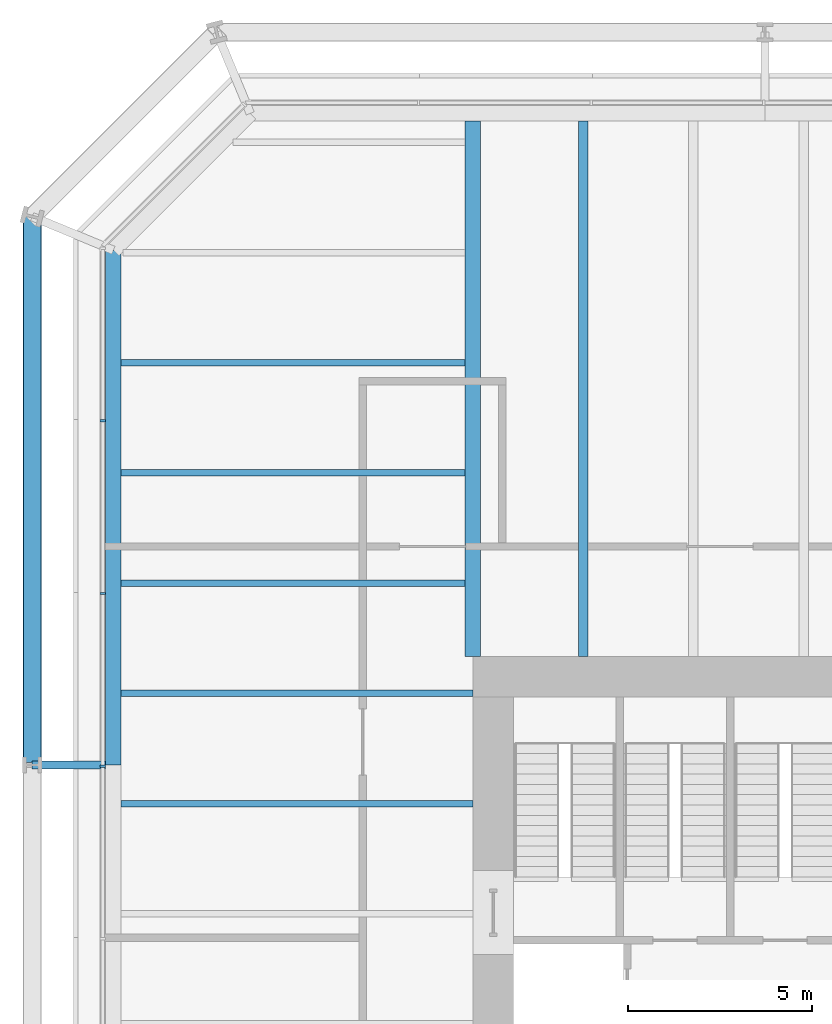
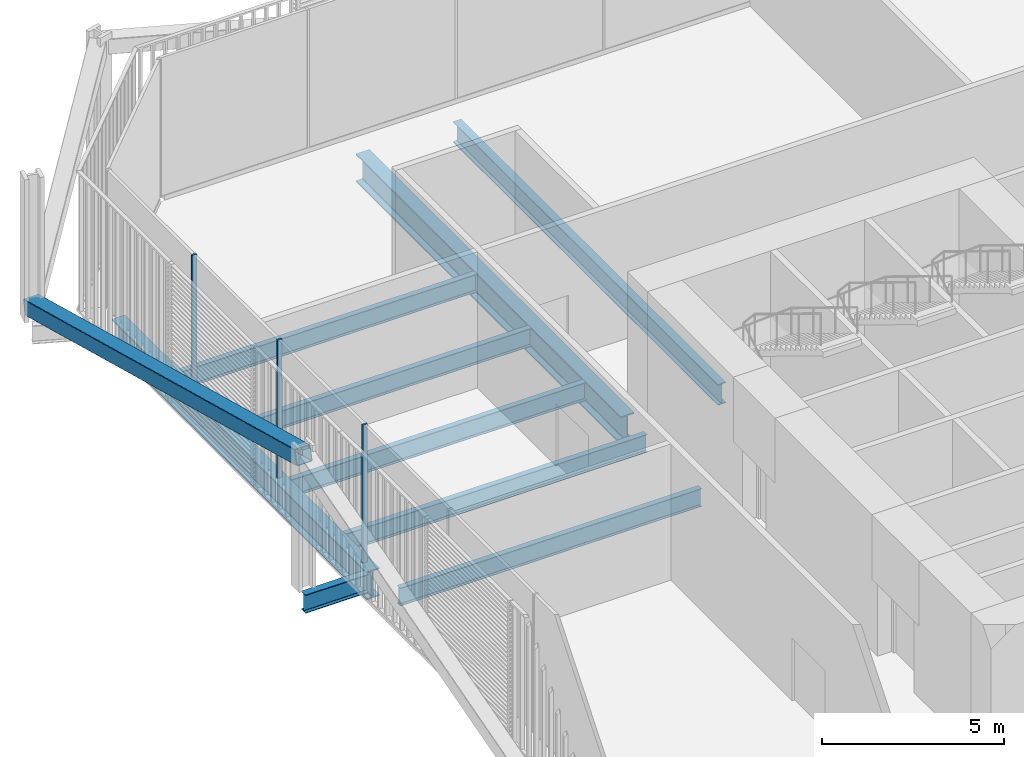
# One storey, part 12 of 22: 9 beams, 4 members, 1 element without a shape of its own.
"""IFC4 building model written with IfcOpenShell, lengths in metres."""

from ifc_helpers import new_model, si_unit, direction, frame, origin, origin_2d, place, context, subcontext, project, spatial, rectangle, hollow_rectangle, i_section, extrude, material, layer, layer_set, material_profile, profile_set, type_object, element, aggregate, save


model = new_model("IFC4")

# Units and contexts
model_context = context("Model", 3, precision=1e-05, world=origin(), true_north=direction((0.0, 1.0)))
body_context = subcontext(model_context, "Body", "Model", "MODEL_VIEW")
ifc_project = project(units=[si_unit("LENGTHUNIT", "METRE"), si_unit("AREAUNIT", "SQUARE_METRE"), si_unit("VOLUMEUNIT", "CUBIC_METRE"), si_unit("PLANEANGLEUNIT", "RADIAN"), si_unit("MASSUNIT", "GRAM", prefix="KILO")], contexts=[model_context])

# Site, building, storey
site_placement = place(None, origin())
site = spatial("IfcSite", under=ifc_project, at=site_placement, CompositionType="ELEMENT")
building_placement = place(site_placement, origin())
building = spatial("IfcBuilding", under=site, at=building_placement, Name="Millrace Tower", CompositionType="ELEMENT")
storey_placement = place(building_placement, frame((0.0, 0.0, 30.5)))
storey = spatial("IfcBuildingStorey", under=building, at=storey_placement, Name="L07", CompositionType="ELEMENT", Elevation=30.5)

# Curtain wall, members
ifc_material_1 = material(Name="Aluminium and glass", Category="aluminium")
ifc_layer = layer(ifc_material_1, 0.14990234375)
ifc_layer_set = layer_set([ifc_layer], Name="Aluminium and glass")
curtain_wall_type = type_object("IfcCurtainWallType", Name="CW-2 data hall insulated curtain wall", PredefinedType="NOTDEFINED", material=ifc_layer_set)
curtain_wall_placement = place(storey_placement, origin())
curtain_wall = element("IfcCurtainWall", 1, at=curtain_wall_placement, inside=storey, type_object=curtain_wall_type, Name="Curtain wall A-F08 L07", PredefinedType="NOTDEFINED")
ifc_material_2 = material(Name="Aluminium", Category="aluminium")
ifc_material_profile_1 = material_profile(ifc_material_2, rectangle(XDim=0.06494140625, YDim=0.14990234375, at=origin_2d()))
ifc_profile_set_1 = profile_set([ifc_material_profile_1], Name="Aluminium")
member_type_1 = type_object("IfcMemberType", Name="CW-2 data hall insulated curtain wall mullion", PredefinedType="MULLION", material=ifc_profile_set_1)
member_1_placement = place(storey_placement, frame((-25.074951171875, 16.41748046875, 0.159912109375), z_axis=(0.0, 0.0, 1.0), x_axis=(0.0, -1.0, 0.0)))
member_1 = element("IfcMember", 2, at=member_1_placement, type_object=member_type_1, Name="CW2 mullion A-F08.2", PredefinedType="MULLION", context=body_context, shape_type="SweptSolid", body=[
    extrude(rectangle(XDim=0.06494140625, YDim=0.14990234375, at=origin_2d()), origin(), (0.0, 0.0, 1.0), 4.64013671875),
])
member_2_placement = place(storey_placement, frame((-25.074951171875, 11.717529296875, 0.159912109375), z_axis=(0.0, 0.0, 1.0), x_axis=(0.0, -1.0, 0.0)))
member_2 = element("IfcMember", 3, at=member_2_placement, type_object=member_type_1, Name="CW2 mullion A-F08.3", PredefinedType="MULLION", context=body_context, shape_type="SweptSolid", body=[
    extrude(rectangle(XDim=0.06494140625, YDim=0.14990234375, at=origin_2d()), origin(), (0.0, 0.0, 1.0), 4.64013671875),
])
member_3_placement = place(storey_placement, frame((-25.074951171875, 7.017578125, 0.159912109375), z_axis=(0.0, 0.0, 1.0), x_axis=(0.0, -1.0, 0.0)))
member_3 = element("IfcMember", 4, at=member_3_placement, type_object=member_type_1, Name="CW2 mullion A-F08.4", PredefinedType="MULLION", context=body_context, shape_type="SweptSolid", body=[
    extrude(rectangle(XDim=0.06494140625, YDim=0.14990234375, at=origin_2d()), origin(), (0.0, 0.0, 1.0), 4.64013671875),
])
aggregate(curtain_wall, [member_1, member_2, member_3])

# Member
ifc_material_3 = material(Name="Steel ASTM A500 Grade C", Category="steel")
ifc_material_profile_2 = material_profile(ifc_material_3, hollow_rectangle(XDim=0.508056640625, YDim=0.508056640625, WallThickness=0.022216796875, InnerFilletRadius=0.01123046875, OuterFilletRadius=0.033447265625, at=origin_2d()))
ifc_profile_set_2 = profile_set([ifc_material_profile_2], Name="Steel ASTM A500 Grade C")
member_type_2 = type_object("IfcMemberType", Name="Exoskeleton brace HSS20x20x7/8", PredefinedType="BRACE", material=ifc_profile_set_2)
member_4_placement = place(storey_placement, frame((-27.0, 21.978515625, 0.39990234375), z_axis=(0.0, -0.965926968663, 0.258814781667), x_axis=(1.0, 0.0, 0.0)))
element("IfcMember", 5, at=member_4_placement, inside=storey, type_object=member_type_2, Name="BRC-A-L07-14", PredefinedType="BRACE", context=body_context, shape_type="SweptSolid", body=[
    extrude(hollow_rectangle(XDim=0.508056640625, YDim=0.508056640625, WallThickness=0.022216796875, InnerFilletRadius=0.01123046875, OuterFilletRadius=0.033447265625, at=origin_2d()), origin(), (0.0, 0.0, 1.0), 15.455078125),
])

# Beams
ifc_material_4 = material(Name="Steel ASTM A992 Grade 50", Category="steel")
ifc_material_profile_3 = material_profile(ifc_material_4, i_section(OverallWidth=0.1787109375, OverallDepth=0.60205078125, WebThickness=0.010986328125, FlangeThickness=0.014892578125, FilletRadius=0.0126953125, at=origin_2d()))
ifc_profile_set_3 = profile_set([ifc_material_profile_3], Name="Steel ASTM A992 Grade 50")
beam_type_1 = type_object("IfcBeamType", Name="Floor beam W24x62", PredefinedType="JOIST", material=ifc_profile_set_3)
for number, where, z_axis, x_axis, name in (
    (6, (-24.578369140625, 6.0, -0.52587890625), (1.0, 0.0, 0.0), (0.0, 1.0, 0.0), "BM-A-L07-S1-S027"),
    (7, (-24.578369140625, 9.0, -0.52587890625), (1.0, 0.0, 0.0), (0.0, 1.0, 0.0), "BM-A-L07-S1-S030"),
):
    element("IfcBeam", number, at=place(storey_placement, frame(where, z_axis=z_axis, x_axis=x_axis)), inside=storey, type_object=beam_type_1, Name=name, PredefinedType="JOIST", context=body_context, shape_type="SweptSolid", body=[
        extrude(i_section(OverallWidth=0.1787109375, OverallDepth=0.60205078125, WebThickness=0.010986328125, FlangeThickness=0.014892578125, FilletRadius=0.0126953125, at=origin_2d()), origin(), (0.0, 0.0, 1.0), 9.578369140625),
    ])
for number, where, z_axis, x_axis, name in (
    (8, (-24.578369140625, 12.0, -0.52587890625), (1.0, 0.0, 0.0), (0.0, 1.0, 0.0), "BM-A-L07-S1-S032"),
    (9, (-24.578369140625, 15.0, -0.52587890625), (1.0, 0.0, 0.0), (0.0, 1.0, 0.0), "BM-A-L07-S1-S034"),
    (10, (-24.578369140625, 18.0, -0.52587890625), (1.0, 0.0, 0.0), (0.0, 1.0, 0.0), "BM-A-L07-S1-S036"),
):
    element("IfcBeam", number, at=place(storey_placement, frame(where, z_axis=z_axis, x_axis=x_axis)), inside=storey, type_object=beam_type_1, Name=name, PredefinedType="JOIST", context=body_context, shape_type="SweptSolid", body=[
        extrude(i_section(OverallWidth=0.1787109375, OverallDepth=0.60205078125, WebThickness=0.010986328125, FlangeThickness=0.014892578125, FilletRadius=0.0126953125, at=origin_2d()), origin(), (0.0, 0.0, 1.0), 9.3662109375),
    ])
ifc_material_5 = material(Name="Steel ASTM A992 Grade 50", Category="steel")
ifc_material_profile_4 = material_profile(ifc_material_5, i_section(OverallWidth=0.256591796875, OverallDepth=0.693359375, WebThickness=0.014404296875, FlangeThickness=0.023681640625, FilletRadius=0.01513671875, at=origin_2d()))
ifc_profile_set_4 = profile_set([ifc_material_profile_4], Name="Steel ASTM A992 Grade 50")
beam_type_2 = type_object("IfcBeamType", Name="Floor beam W27x114", PredefinedType="JOIST", material=ifc_profile_set_4)
beam_1_placement = place(storey_placement, frame((-12.0, 10.0, -0.57177734375), z_axis=(0.0, 1.0, 0.0), x_axis=(-1.0, 0.0, 0.0)))
element("IfcBeam", 11, at=beam_1_placement, inside=storey, type_object=beam_type_2, Name="BM-A-L07-S1-S042", PredefinedType="JOIST", context=body_context, shape_type="SweptSolid", body=[
    extrude(i_section(OverallWidth=0.256591796875, OverallDepth=0.693359375, WebThickness=0.014404296875, FlangeThickness=0.023681640625, FilletRadius=0.01513671875, at=origin_2d()), origin(), (0.0, 0.0, 1.0), 14.578369140625),
])
ifc_material_6 = material(Name="Steel ASTM A992 Grade 50", Category="steel")
ifc_material_profile_5 = material_profile(ifc_material_6, i_section(OverallWidth=0.424072265625, OverallDepth=0.947509765625, WebThickness=0.02392578125, FlangeThickness=0.042724609375, FilletRadius=0.024169921875, at=origin_2d()))
ifc_profile_set_5 = profile_set([ifc_material_profile_5], Name="Steel ASTM A992 Grade 50")
beam_type_3 = type_object("IfcBeamType", Name="Girder medium span W36x302", PredefinedType="BEAM", material=ifc_profile_set_5)
beam_2_placement = place(storey_placement, frame((-15.0, 10.0, -0.69873046875), z_axis=(0.0, 1.0, 0.0), x_axis=(-1.0, 0.0, 0.0)))
element("IfcBeam", 12, at=beam_2_placement, inside=storey, type_object=beam_type_3, Name="BM-A-L07-S1-G060", PredefinedType="BEAM", context=body_context, shape_type="SweptSolid", body=[
    extrude(i_section(OverallWidth=0.424072265625, OverallDepth=0.947509765625, WebThickness=0.02392578125, FlangeThickness=0.042724609375, FilletRadius=0.024169921875, at=origin_2d()), origin(), (0.0, 0.0, 1.0), 14.578369140625),
])
ifc_material_7 = material(Name="Steel ASTM A992 Grade 50", Category="steel")
ifc_material_profile_6 = material_profile(ifc_material_7, i_section(OverallWidth=0.23046875, OverallDepth=0.6171875, WebThickness=0.01318359375, FlangeThickness=0.022216796875, FilletRadius=0.012939453125, at=origin_2d()))
ifc_profile_set_6 = profile_set([ifc_material_profile_6], Name="Steel ASTM A992 Grade 50")
beam_type_4 = type_object("IfcBeamType", Name="Link beam W24x94", PredefinedType="BEAM", material=ifc_profile_set_6)
beam_3_placement = place(storey_placement, frame((-25.0, 7.050048828125, -0.53369140625), z_axis=(-1.0, 0.0, 0.0), x_axis=(0.0, -1.0, 0.0)))
element("IfcBeam", 13, at=beam_3_placement, inside=storey, type_object=beam_type_4, Name="LNK-A-L07-S1-03", PredefinedType="BEAM", context=body_context, shape_type="SweptSolid", body=[
    extrude(i_section(OverallWidth=0.23046875, OverallDepth=0.6171875, WebThickness=0.01318359375, FlangeThickness=0.022216796875, FilletRadius=0.012939453125, at=origin_2d()), origin(), (0.0, 0.0, 1.0), 2.0),
])
ifc_material_8 = material(Name="Steel ASTM A992 Grade 50", Category="steel")
ifc_material_profile_7 = material_profile(ifc_material_8, i_section(OverallWidth=0.421630859375, OverallDepth=0.937255859375, WebThickness=0.021240234375, FlangeThickness=0.03662109375, FilletRadius=0.024169921875, at=origin_2d()))
ifc_profile_set_7 = profile_set([ifc_material_profile_7], Name="Steel ASTM A992 Grade 50")
beam_type_5 = type_object("IfcBeamType", Name="Ring beam medium span W36x262", PredefinedType="SPANDREL", material=ifc_profile_set_7)
beam_4_placement = place(storey_placement, frame((-24.7890625, 7.050048828125, -0.693603515625), z_axis=(0.0, 1.0, 0.0), x_axis=(-1.0, 0.0, 0.0)))
element("IfcBeam", 14, at=beam_4_placement, inside=storey, type_object=beam_type_5, Name="RNG-A-L07-S1-03", PredefinedType="SPANDREL", context=body_context, shape_type="SweptSolid", body=[
    extrude(i_section(OverallWidth=0.421630859375, OverallDepth=0.937255859375, WebThickness=0.021240234375, FlangeThickness=0.03662109375, FilletRadius=0.024169921875, at=origin_2d()), origin(), (0.0, 0.0, 1.0), 14.0126953125),
])

save(model, "model.ifc")
